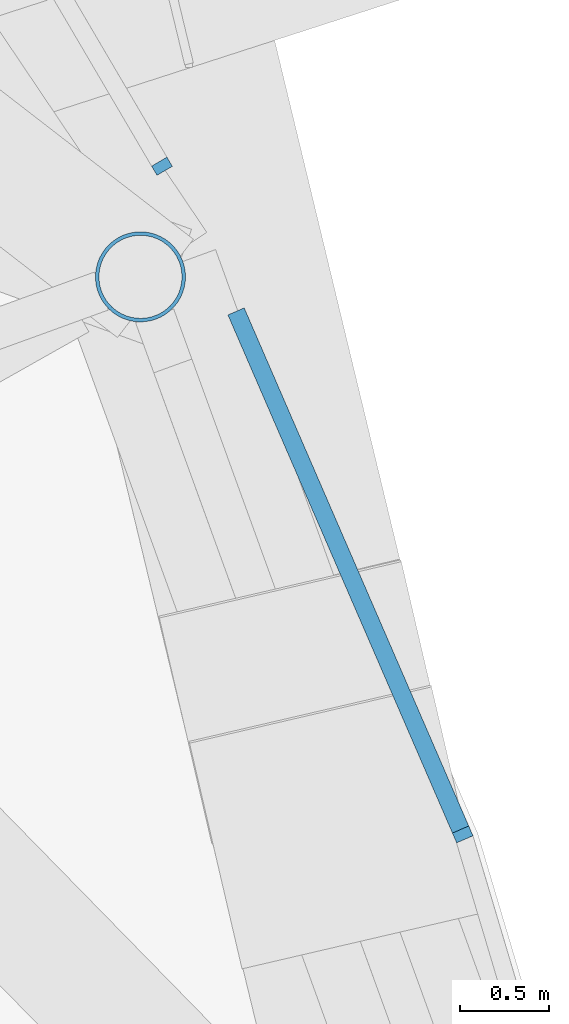
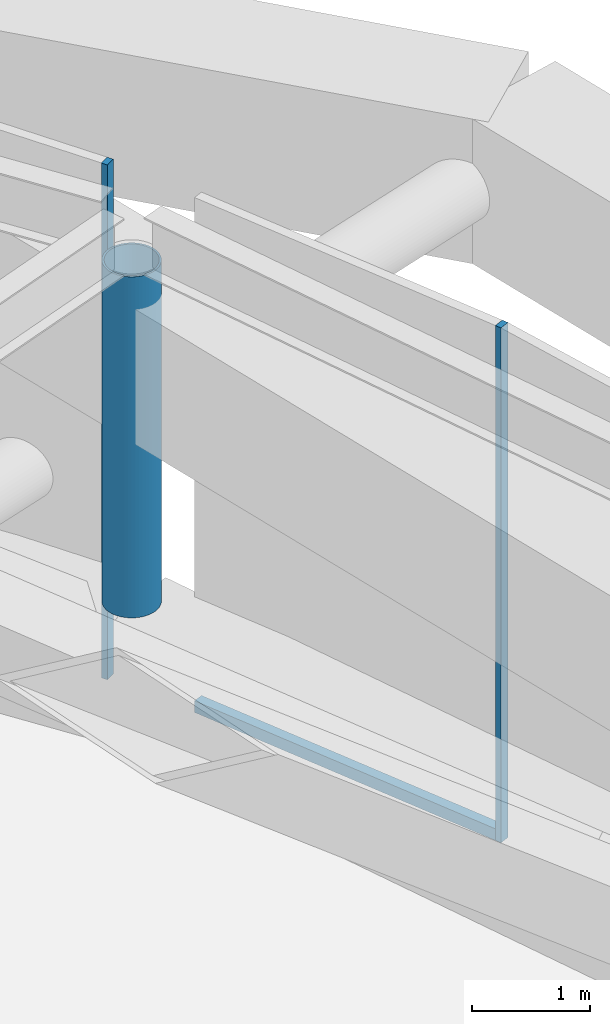
# One storey, part 40 of 60: 4 members, 2 elements without a shape of their own.
"""IFC4 building model written with IfcOpenShell, lengths in metres."""

from ifc_helpers import new_model, si_unit, direction, frame, origin, origin_2d, place, context, subcontext, project, spatial, rectangle, hollow_circle, extrude, material, layer, layer_set, material_profile, profile_set, type_object, element, aggregate, save


model = new_model("IFC4")

# Units and contexts
model_context = context("Model", 3, precision=1e-05, world=origin(), true_north=direction((0.0, 1.0)))
body_context = subcontext(model_context, "Body", "Model", "MODEL_VIEW")
ifc_project = project(units=[si_unit("LENGTHUNIT", "METRE"), si_unit("AREAUNIT", "SQUARE_METRE"), si_unit("VOLUMEUNIT", "CUBIC_METRE"), si_unit("PLANEANGLEUNIT", "RADIAN"), si_unit("MASSUNIT", "GRAM", prefix="KILO")], contexts=[model_context])

# Site, building, storey
site_placement = place(None, origin())
site = spatial("IfcSite", under=ifc_project, at=site_placement, CompositionType="ELEMENT")
building_placement = place(site_placement, origin())
building = spatial("IfcBuilding", under=site, at=building_placement, Name="Nagisa Residences", CompositionType="ELEMENT")
storey_placement = place(building_placement, frame((0.0, 0.0, 206.60009765625)))
storey = spatial("IfcBuildingStorey", under=building, at=storey_placement, Name="L52", CompositionType="ELEMENT", Elevation=206.60009765625)

# Curtain wall, member
ifc_material_1 = material(Name="Aluminium curtain wall system", Category="aluminium")
ifc_layer = layer(ifc_material_1, 0.159912109375)
ifc_layer_set = layer_set([ifc_layer], Name="CW5 CURTAIN WALL")
curtain_wall_type = type_object("IfcCurtainWallType", Name="CW5 CURTAIN WALL", PredefinedType="NOTDEFINED", material=ifc_layer_set)
curtain_wall_1_placement = place(storey_placement, origin())
curtain_wall_1 = element("IfcCurtainWall", 1, at=curtain_wall_1_placement, inside=storey, type_object=curtain_wall_type, Name="cw:CW5:L52:03", PredefinedType="NOTDEFINED")
ifc_material_2 = material(Name="Aluminium", Category="aluminium")
ifc_material_profile_1 = material_profile(ifc_material_2, rectangle(XDim=0.10009765625, YDim=0.06005859375, at=origin_2d()), Name="CW5 MULLION 100x60")
ifc_profile_set_1 = profile_set([ifc_material_profile_1], Name="Aluminium")
member_type_1 = type_object("IfcMemberType", Name="CW5 MULLION 100x60", PredefinedType="MULLION", material=ifc_profile_set_1)
member_1_placement = place(storey_placement, frame((26.9580078125, 11.045654296875, 0.0), z_axis=(0.0, 0.0, 1.0), x_axis=(-0.917543276295, -0.397635934147, 0.0)))
member_1 = element("IfcMember", 2, at=member_1_placement, type_object=member_type_1, Name="CW5 mullion", PredefinedType="MULLION", context=body_context, shape_type="SweptSolid", body=[
    extrude(rectangle(XDim=0.10009765625, YDim=0.06005859375, at=origin_2d()), origin(), (0.0, 0.0, 1.0), 5.33984375),
])

curtain_wall_2_placement = place(storey_placement, origin())
curtain_wall_2 = element("IfcCurtainWall", 3, at=curtain_wall_2_placement, inside=storey, type_object=curtain_wall_type, Name="cw:CW5:L52:04", PredefinedType="NOTDEFINED")
member_2_placement = place(storey_placement, frame((25.263427734375, 14.810791015625, 0.0), z_axis=(0.0, 0.0, 1.0), x_axis=(-0.862328898214, -0.506348567002, 0.0)))
member_2 = element("IfcMember", 4, at=member_2_placement, type_object=member_type_1, Name="CW5 mullion", PredefinedType="MULLION", context=body_context, shape_type="SweptSolid", body=[
    extrude(rectangle(XDim=0.10009765625, YDim=0.06005859375, at=origin_2d()), origin(), (0.0, 0.0, 1.0), 5.33984375),
])
aggregate(curtain_wall_2, [member_2])

# Member
ifc_material_3 = material(Name="Aluminium", Category="aluminium")
ifc_material_profile_2 = material_profile(ifc_material_3, rectangle(XDim=0.10009765625, YDim=0.1201171875, at=origin_2d()), Name="CW5 TRANSOM 100x120")
ifc_profile_set_2 = profile_set([ifc_material_profile_2], Name="Aluminium")
member_type_2 = type_object("IfcMemberType", Name="CW5 TRANSOM 100x120", PredefinedType="USERDEFINED", material=ifc_profile_set_2)
member_3_placement = place(storey_placement, frame((26.969970703125, 11.01806640625, 0.059814453125), z_axis=(-0.397624344801, 0.917548298686, 0.0), x_axis=(-0.917548298686, -0.397624344801, 0.0)))
member_3 = element("IfcMember", 5, at=member_3_placement, type_object=member_type_2, Name="CW5 transom", ObjectType="TRANSOM", PredefinedType="USERDEFINED", context=body_context, shape_type="SweptSolid", body=[
    extrude(rectangle(XDim=0.10009765625, YDim=0.1201171875, at=origin_2d()), origin(), (0.0, 0.0, 1.0), 3.241943359375),
])

aggregate(curtain_wall_1, [member_1, member_3])

ifc_material_4 = material(Name="Steel ASTM A572 Gr 65", Category="steel")
ifc_material_profile_3 = material_profile(ifc_material_4, hollow_circle(Radius=0.25390625, WallThickness=0.02001953125, at=origin_2d()), Name="CHS 508x20")
ifc_profile_set_3 = profile_set([ifc_material_profile_3], Name="Steel ASTM A572 Gr 65")
member_type_3 = type_object("IfcMemberType", Name="Garden edge post CHS 508x20", PredefinedType="POST", material=ifc_profile_set_3)
member_4_placement = place(storey_placement, frame((25.142333984375, 14.1875, 1.199951171875), z_axis=(0.0, 0.0, 1.0), x_axis=(1.0, 0.0, 0.0)))
element("IfcMember", 6, at=member_4_placement, inside=storey, type_object=member_type_3, Name="mem:L52:gp403", PredefinedType="POST", context=body_context, shape_type="SweptSolid", body=[
    extrude(hollow_circle(Radius=0.25390625, WallThickness=0.02001953125, at=origin_2d()), origin(), (0.0, 0.0, 1.0), 3.536865234375),
])

save(model, "model.ifc")
